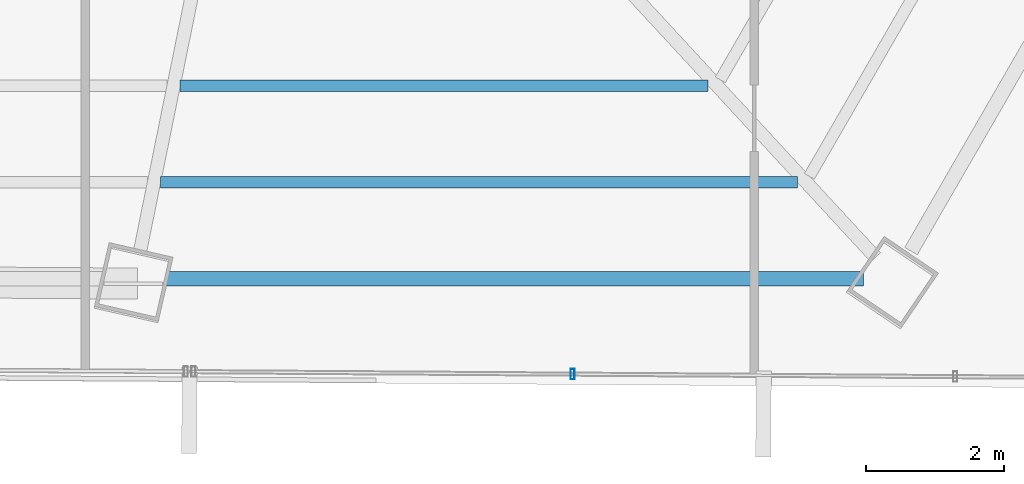
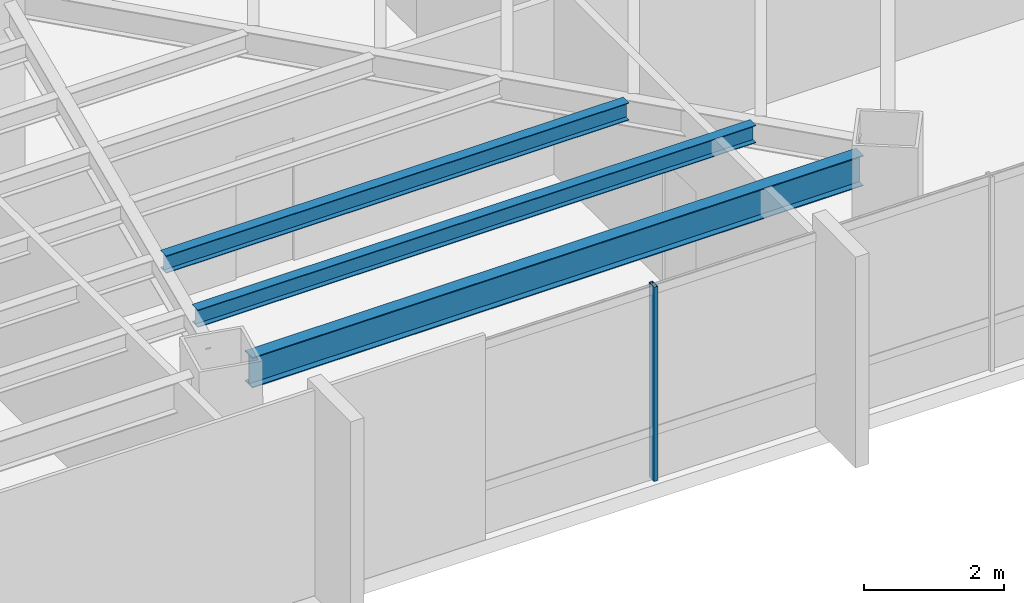
# One storey, part 16 of 41: 3 beams, 1 member, 1 element without a shape of its own.
"""IFC4 building model written with IfcOpenShell, lengths in metres."""

from ifc_helpers import new_model, si_unit, direction, frame, origin, origin_2d, place, context, subcontext, project, spatial, hollow_rectangle, i_section, extrude, source, transform, mapped, material, material_profile, profile_set, type_object, type_shapes, element, aggregate, save


model = new_model("IFC4")

# Units and contexts
model_context = context("Model", 3, precision=1e-05, world=origin(), true_north=direction((0.0, 1.0)))
body_context = subcontext(model_context, "Body", "Model", "MODEL_VIEW")
ifc_project = project(units=[si_unit("LENGTHUNIT", "METRE"), si_unit("AREAUNIT", "SQUARE_METRE"), si_unit("VOLUMEUNIT", "CUBIC_METRE"), si_unit("PLANEANGLEUNIT", "RADIAN"), si_unit("MASSUNIT", "GRAM", prefix="KILO")], contexts=[model_context])

# Site, building, storey
site_placement = place(None, origin())
site = spatial("IfcSite", under=ifc_project, at=site_placement, CompositionType="ELEMENT")
building_placement = place(site_placement, origin())
building = spatial("IfcBuilding", under=site, at=building_placement, Name="Caelisora Broadcast Tower", CompositionType="ELEMENT")
storey_placement = place(building_placement, frame((0.0, 0.0, 165.800048828125)))
storey = spatial("IfcBuildingStorey", under=building, at=storey_placement, Name="L43", CompositionType="ELEMENT", Elevation=165.800048828125)

# Beams
ifc_material_1 = material(Name="Steel Grade 350 (AS/NZS 3679.1)", Category="steel")
ifc_material_profile_1 = material_profile(ifc_material_1, i_section(OverallWidth=0.208984375, OverallDepth=0.532958984375, WebThickness=0.01025390625, FlangeThickness=0.015625, at=origin_2d()), Name="Steel Grade 350 (AS/NZS 3679.1)")
ifc_profile_set_1 = profile_set([ifc_material_profile_1], Name="Steel Grade 350 (AS/NZS 3679.1)")
beam_type_1 = type_object("IfcBeamType", Name="PG05", PredefinedType="BEAM", material=ifc_profile_set_1)
shared_shape_1 = source(origin(), body_context, "Body", "SweptSolid", [
    extrude(i_section(OverallWidth=0.208984375, OverallDepth=0.532958984375, WebThickness=0.01025390625, FlangeThickness=0.015625, at=origin_2d()), origin(), (0.0, 0.0, 1.0), 10.1083984375),
])
type_shapes(beam_type_1, [shared_shape_1])
beam_1_placement = place(storey_placement, frame((43.974365234375, 7.609619140625, 3.133544921875), z_axis=(1.0, 0.0, 0.0), x_axis=(0.0, 1.0, 0.0)))
element("IfcBeam", 1, at=beam_1_placement, inside=storey, type_object=beam_type_1, Name="L43 beam PG05", PredefinedType="BEAM", context=body_context, shape_type="MappedRepresentation", body=[
    mapped(shared_shape_1, transform((0.0, 0.0, 0.0), scale=1.0)),
])
ifc_material_profile_2 = material_profile(ifc_material_1, i_section(OverallWidth=0.166015625, OverallDepth=0.30712890625, WebThickness=0.006591796875, FlangeThickness=0.01171875, at=origin_2d()), Name="Steel Grade 350 (AS/NZS 3679.1)")
ifc_profile_set_2 = profile_set([ifc_material_profile_2], Name="Steel Grade 350 (AS/NZS 3679.1)")
beam_type_2 = type_object("IfcBeamType", Name="SB03", PredefinedType="JOIST", material=ifc_profile_set_2)
shared_shape_2 = source(origin(), body_context, "Body", "SweptSolid", [
    extrude(i_section(OverallWidth=0.166015625, OverallDepth=0.30712890625, WebThickness=0.006591796875, FlangeThickness=0.01171875, at=origin_2d()), origin(), (0.0, 0.0, 1.0), 7.656005859375),
])
beam_2_placement = place(storey_placement, frame((44.176025390625, 10.406982421875, 3.246337890625), z_axis=(1.0, 0.0, 0.0), x_axis=(0.0, 1.0, 0.0)))
element("IfcBeam", 2, at=beam_2_placement, inside=storey, type_object=beam_type_2, Name="L43 beam SB03", PredefinedType="JOIST", context=body_context, shape_type="MappedRepresentation", body=[
    mapped(shared_shape_2, transform((0.0, 0.0, 0.0), scale=1.0)),
])
shared_shape_3 = source(origin(), body_context, "Body", "SweptSolid", [
    extrude(i_section(OverallWidth=0.166015625, OverallDepth=0.30712890625, WebThickness=0.006591796875, FlangeThickness=0.01171875, at=origin_2d()), origin(), (0.0, 0.0, 1.0), 9.231689453125),
])
type_shapes(beam_type_2, [shared_shape_2, shared_shape_3])
beam_3_placement = place(storey_placement, frame((43.892333984375, 9.00830078125, 3.246337890625), z_axis=(1.0, 0.0, 0.0), x_axis=(0.0, 1.0, 0.0)))
element("IfcBeam", 3, at=beam_3_placement, inside=storey, type_object=beam_type_2, Name="L43 beam SB03", PredefinedType="JOIST", context=body_context, shape_type="MappedRepresentation", body=[
    mapped(shared_shape_3, transform((0.0, 0.0, 0.0), scale=1.0)),
])

# Curtain wall, member
ifc_material_2 = material(Name="Unitised Aluminium and Low-E Glass Curtain Wall", Category="glass")
curtain_wall_type = type_object("IfcCurtainWallType", Name="CW-Z3", PredefinedType="NOTDEFINED", material=ifc_material_2)
curtain_wall_placement = place(storey_placement, origin())
curtain_wall = element("IfcCurtainWall", 4, at=curtain_wall_placement, inside=storey, type_object=curtain_wall_type, Name="L43 curtain wall CW-Z3", PredefinedType="NOTDEFINED")
ifc_material_3 = material(Name="Aluminium 6063-T6 Anodised Terracotta Bronze", Category="aluminium")
ifc_material_profile_3 = material_profile(ifc_material_3, hollow_rectangle(XDim=0.06005859375, YDim=0.14990234375, WallThickness=0.00341796875, at=origin_2d()), Name="Aluminium 6063-T6 Anodised Terracotta Bronze")
ifc_profile_set_3 = profile_set([ifc_material_profile_3], Name="Aluminium 6063-T6 Anodised Terracotta Bronze")
member_type = type_object("IfcMemberType", Name="CWM-03", PredefinedType="MULLION", material=ifc_profile_set_3)
shared_shape_4 = source(origin(), body_context, "Body", "SweptSolid", [
    extrude(hollow_rectangle(XDim=0.06005859375, YDim=0.14990234375, WallThickness=0.00341796875, at=origin_2d()), origin(), (0.0, 0.0, 1.0), 3.39990234375),
])
type_shapes(member_type, [shared_shape_4])
member_placement = place(storey_placement, frame((49.86669921875, 6.223876953125, 0.0), z_axis=(0.0, 0.0, 1.0), x_axis=(1.0, 0.0, 0.0)))
member = element("IfcMember", 5, at=member_placement, type_object=member_type, Name="L43-CW-B05 mullion #2", PredefinedType="MULLION", context=body_context, shape_type="MappedRepresentation", body=[
    mapped(shared_shape_4, transform((0.0, 0.0, 0.0), scale=1.0)),
])
aggregate(curtain_wall, [member])

save(model, "model.ifc")
